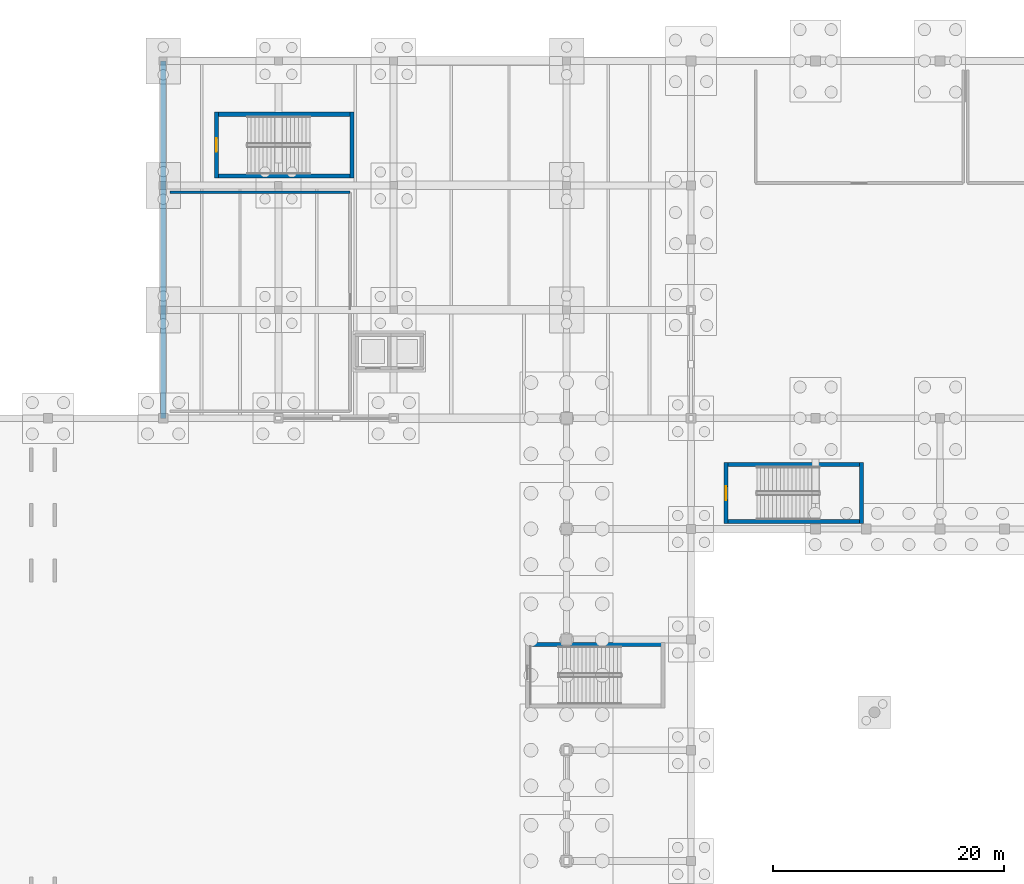
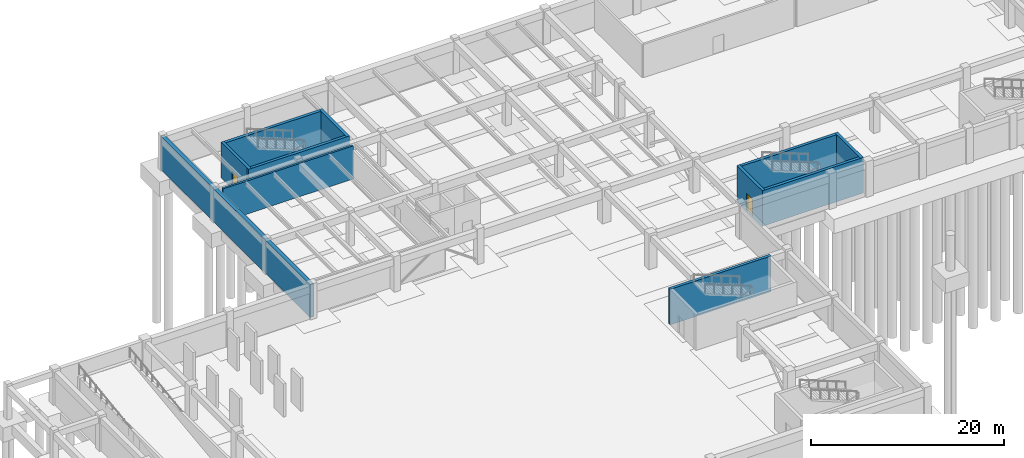
# One storey, part 16 of 33: 11 walls, 2 doors, 2 openings.
"""IFC4 building model written with IfcOpenShell, lengths in metres."""

import ifcopenshell
import ifcopenshell.guid

model = None  # the IFC model being written
_history = None  # IfcOwnerHistory: only IFC2X3 demands one
_inside = {}  # id of a spatial element -> (the spatial element, [elements in it])
_under = {}  # id of a project, library or spatial element -> (it, [spatial elements below it])
_declared = {}  # id of a project -> (the project, [libraries it declares])
_typed = {}  # id of a type object -> (the type object, [elements of that type])
_made_of = {}  # id of a material, layer set ... -> (it, [elements and type objects made of it])


def new_model(schema):
    """Start an empty IFC model of exactly this schema.

    Asked for "IFC4X3", IfcOpenShell would pick the latest addendum, in which some entities
    have other attributes; the version numbers below select the first issue.
    IFC2X3 requires an IfcOwnerHistory on every rooted entity: one is made here for all.
    """
    global model, _history
    if schema == "IFC4X3":
        model = ifcopenshell.file(schema_version=(4, 3, 0, 0))
    else:
        model = ifcopenshell.file(schema=schema)
    _inside.clear()
    _under.clear()
    _declared.clear()
    _typed.clear()
    _made_of.clear()
    _history = None
    if model.schema == "IFC2X3":
        org = make("IfcOrganization", Name="unknown")
        user = make(
            "IfcPersonAndOrganization",
            ThePerson=make("IfcPerson", FamilyName="unknown"),
            TheOrganization=org,
        )
        app = make(
            "IfcApplication",
            ApplicationDeveloper=org,
            Version="unknown",
            ApplicationFullName="unknown",
            ApplicationIdentifier="unknown",
        )
        _history = make(
            "IfcOwnerHistory",
            OwningUser=user,
            OwningApplication=app,
            ChangeAction="ADDED",
            CreationDate=0,
        )
    return model


def make(cls, **values):
    """One entity of the class cls with the attributes given. An attribute that is None is left unset."""
    return model.create_entity(
        cls, **{name: value for name, value in values.items() if value is not None}
    )


def rooted(cls, **values):
    """An entity with a GlobalId (a new one), such as an element, a storey or a relation."""
    return make(cls, GlobalId=ifcopenshell.guid.new(), OwnerHistory=_history, **values)


def si_unit(unit_type, name, prefix=None):
    """IfcSIUnit, for example si_unit("LENGTHUNIT", "METRE", prefix="MILLI")."""
    return make("IfcSIUnit", UnitType=unit_type, Prefix=prefix, Name=name)


def assignment(units):
    """IfcUnitAssignment: the units of a project."""
    return None if units is None else make("IfcUnitAssignment", Units=units)


def point(xyz):
    """IfcCartesianPoint."""
    return None if xyz is None else make("IfcCartesianPoint", Coordinates=xyz)


def direction(xyz):
    """IfcDirection."""
    return None if xyz is None else make("IfcDirection", DirectionRatios=xyz)


def frame(location, z_axis=None, x_axis=None):
    """IfcAxis2Placement3D, a coordinate frame: its origin and axes. An axis left out is left unset."""
    return make(
        "IfcAxis2Placement3D",
        Location=point(location),
        Axis=direction(z_axis),
        RefDirection=direction(x_axis),
    )


def frame_2d(location, x_axis=None):
    """IfcAxis2Placement2D, a coordinate frame in the plane: its origin and x axis."""
    return make(
        "IfcAxis2Placement2D", Location=point(location), RefDirection=direction(x_axis)
    )


def origin():
    """The frame at (0, 0, 0) with its axes left unset."""
    return frame((0.0, 0.0, 0.0))


def place(relative_to, where):
    """IfcLocalPlacement: puts the frame where relative to a parent placement (None: the world)."""
    return make(
        "IfcLocalPlacement", PlacementRelTo=relative_to, RelativePlacement=where
    )


def context(
    kind, dimensions, precision=None, world=None, true_north=None, identifier=None
):
    """IfcGeometricRepresentationContext, for example the 3D "Model" context."""
    return make(
        "IfcGeometricRepresentationContext",
        ContextIdentifier=identifier,
        ContextType=kind,
        CoordinateSpaceDimension=dimensions,
        Precision=precision,
        WorldCoordinateSystem=world,
        TrueNorth=true_north,
    )


def subcontext(parent, identifier, kind, view, scale=None):
    """IfcGeometricRepresentationSubContext, for example "Body" below "Model"."""
    return make(
        "IfcGeometricRepresentationSubContext",
        ContextIdentifier=identifier,
        ContextType=kind,
        ParentContext=parent,
        TargetScale=scale,
        TargetView=view,
    )


def project(units=None, contexts=None):
    """IfcProject with its units and contexts."""
    return rooted(
        "IfcProject",
        Name="project",
        RepresentationContexts=contexts,
        UnitsInContext=assignment(units),
    )


def spatial(cls, under=None, at=None, **own):
    """A site, building, storey or space (cls), placed at a placement, below another one or the project."""
    s = rooted(cls, ObjectPlacement=at, **own)
    if under is not None:
        _under.setdefault(under.id(), (under, []))[1].append(s)
    return s


def profile(cls, at=None, kind="AREA", **sizes):
    """A parametric profile (cls). Its sizes go by their IFC names, for example OverallWidth=200.0."""
    return make(cls, ProfileType=kind, Position=at, **sizes)


def rectangle(**sizes):
    """IfcRectangleProfileDef."""
    return profile("IfcRectangleProfileDef", **sizes)


def extrude(swept, where, along, depth):
    """IfcExtrudedAreaSolid: the profile swept, set in the frame where, extruded along a direction by depth."""
    return make(
        "IfcExtrudedAreaSolid",
        SweptArea=swept,
        Position=where,
        ExtrudedDirection=direction(along),
        Depth=depth,
    )


def shape(context_of_items, identifier, shape_type, items):
    """IfcShapeRepresentation: the items that make up one representation, for example the "Body"."""
    return make(
        "IfcShapeRepresentation",
        ContextOfItems=context_of_items,
        RepresentationIdentifier=identifier,
        RepresentationType=shape_type,
        Items=items,
    )


def material(Name=None, Category=None):
    """IfcMaterial."""
    return make("IfcMaterial", Name=Name, Category=Category)


def layer(
    of_material, thickness, ventilated=None, Name=None, Category=None, Priority=None
):
    """IfcMaterialLayer: one layer of a wall or slab, of a material (None: an air gap)."""
    return make(
        "IfcMaterialLayer",
        Material=of_material,
        LayerThickness=thickness,
        IsVentilated=ventilated,
        Name=Name,
        Category=Category,
        Priority=Priority,
    )


def layer_set(layers, Name=None):
    """IfcMaterialLayerSet."""
    return make("IfcMaterialLayerSet", MaterialLayers=layers, LayerSetName=Name)


def made_of(thing, what):
    """Note that an element or type object is made of a material, layer set ...; save() writes the relation."""
    if what is not None:
        _made_of.setdefault(what.id(), (what, []))[1].append(thing)
    return thing


def type_object(cls, material=None, **own):
    """A type object (cls), such as IfcWallType, which elements share."""
    return made_of(rooted(cls, **own), material)


def element(
    cls,
    number,
    at=None,
    inside=None,
    cuts=None,
    type_object=None,
    material=None,
    context=None,
    identifier="Body",
    shape_type=None,
    held_by="IfcProductDefinitionShape",
    body=None,
    shapes=None,
    **own,
):
    """One element of the class cls, such as IfcWall. Its Tag is "e" and its number.

    at: its placement. inside: the storey or other place that contains it. cuts: it is an
    opening in that element (IfcRelVoidsElement). A single representation is given by context,
    identifier, shape_type and body (its items); several are given by shapes. held_by: the class
    of the entity that holds the representations. save() writes the other relations.
    """
    e = rooted(cls, Tag="e%d" % number, ObjectPlacement=at, **own)
    if body is not None:
        shapes = [shape(context, identifier, shape_type, body)]
    if shapes is not None:
        e.Representation = make(held_by, Representations=shapes)
    if inside is not None:
        _inside.setdefault(inside.id(), (inside, []))[1].append(e)
    if cuts is not None:
        rooted(
            "IfcRelVoidsElement", RelatingBuildingElement=cuts, RelatedOpeningElement=e
        )
    if type_object is not None:
        _typed.setdefault(type_object.id(), (type_object, []))[1].append(e)
    return made_of(e, material)


def fill(opening, filler):
    """IfcRelFillsElement: the door or window that sits in an opening."""
    return rooted(
        "IfcRelFillsElement",
        RelatingOpeningElement=opening,
        RelatedBuildingElement=filler,
    )


def aggregate(whole, parts):
    """IfcRelAggregates: a whole, such as a stair, and the parts it consists of."""
    return rooted("IfcRelAggregates", RelatingObject=whole, RelatedObjects=parts)


def save(model, path):
    """Write the relations noted so far, then the file.

    IfcRelAggregates (storeys below a building ...), IfcRelContainedInSpatialStructure (elements
    in a storey), IfcRelDefinesByType, IfcRelAssociatesMaterial and IfcRelDeclares: one each for
    every whole, place, type object, material and project.
    """
    for whole, parts in _under.values():
        aggregate(whole, parts)
    for where, things in _inside.values():
        rooted(
            "IfcRelContainedInSpatialStructure",
            RelatedElements=things,
            RelatingStructure=where,
        )
    for kind, things in _typed.values():
        rooted("IfcRelDefinesByType", RelatedObjects=things, RelatingType=kind)
    for what, things in _made_of.values():
        rooted("IfcRelAssociatesMaterial", RelatedObjects=things, RelatingMaterial=what)
    for by, libraries in _declared.values():
        rooted("IfcRelDeclares", RelatingContext=by, RelatedDefinitions=libraries)
    model.write(path)


model = new_model("IFC4")

# Units and contexts
model_context = context("Model", 3, precision=1e-05, world=origin(), true_north=direction((0.0, 1.0)))
body_context = subcontext(model_context, "Body", "Model", "MODEL_VIEW")
ifc_project = project(units=[si_unit("LENGTHUNIT", "METRE"), si_unit("AREAUNIT", "SQUARE_METRE"), si_unit("VOLUMEUNIT", "CUBIC_METRE"), si_unit("PLANEANGLEUNIT", "RADIAN"), si_unit("MASSUNIT", "GRAM", prefix="KILO")], contexts=[model_context])

# Site, building, storey
site_placement = place(None, origin())
site = spatial("IfcSite", under=ifc_project, at=site_placement, CompositionType="ELEMENT")
building_placement = place(site_placement, origin())
building = spatial("IfcBuilding", under=site, at=building_placement, Name="Veldera Park Congress Hotel", CompositionType="ELEMENT")
storey_placement = place(building_placement, frame((0.0, 0.0, -4.5)))
storey = spatial("IfcBuildingStorey", under=building, at=storey_placement, Name="B1", CompositionType="ELEMENT", Elevation=-4.5)

# Walls
ifc_material_1 = material(Name="Concrete f'c 40 MPa (5,800 psi)", Category="concrete")
ifc_layer_1 = layer(ifc_material_1, 0.239990234375)
ifc_layer_set_1 = layer_set([ifc_layer_1], Name="Concrete f'c 40 MPa (5,800 psi)")
wall_type_1 = type_object("IfcWallType", Name="IW-FIRE240", PredefinedType="STANDARD", material=ifc_layer_set_1)
wall_1_placement = place(storey_placement, frame((-31.199951171875, 46.60009765625, 0.0), z_axis=(0.0, 0.0, 1.0), x_axis=(-1.0, 0.0, 0.0)))
element("IfcWall", 1, at=wall_1_placement, inside=storey, type_object=wall_type_1, Name="B1 Partition Wall IW3-B1-00008", PredefinedType="STANDARD", context=body_context, shape_type="SweptSolid", body=[
    extrude(rectangle(XDim=15.60009765625, YDim=0.239990234375, at=frame_2d((7.800048828125, 0.0))), origin(), (0.0, 0.0, 1.0), 4.199951171875),
])
ifc_layer_2 = layer(ifc_material_1, 0.35009765625)
ifc_layer_set_2 = layer_set([ifc_layer_2], Name="Concrete f'c 40 MPa (5,800 psi)")
wall_type_2 = type_object("IfcWallType", Name="SW-CORE350", PredefinedType="SHEAR", material=ifc_layer_set_2)
wall_2_placement = place(storey_placement, frame((-42.949951171875, 48.02490234375, 0.0), z_axis=(0.0, 0.0, 1.0), x_axis=(1.0, 0.0, 0.0)))
element("IfcWall", 2, at=wall_2_placement, inside=storey, type_object=wall_type_2, Name="Stair ST4 Core Wall B1-S", PredefinedType="SHEAR", context=body_context, shape_type="SweptSolid", body=[
    extrude(rectangle(XDim=12.099853515625, YDim=0.35009765625, at=frame_2d((6.0498046875, 0.0))), origin(), (0.0, 0.0, 1.0), 4.5),
])
wall_3_placement = place(storey_placement, frame((-31.02490234375, 47.85009765625, 0.0), z_axis=(0.0, 0.0, 1.0), x_axis=(0.0, 1.0, 0.0)))
element("IfcWall", 3, at=wall_3_placement, inside=storey, type_object=wall_type_2, Name="Stair ST4 Core Wall B1-E", PredefinedType="SHEAR", context=body_context, shape_type="SweptSolid", body=[
    extrude(rectangle(XDim=5.699951171875, YDim=0.35009765625, at=frame_2d((2.85009765625, 0.0))), origin(), (0.0, 0.0, 1.0), 4.5),
])
wall_4_placement = place(storey_placement, frame((-30.85009765625, 53.375, 0.0), z_axis=(0.0, 0.0, 1.0), x_axis=(-1.0, 0.0, 0.0)))
element("IfcWall", 4, at=wall_4_placement, inside=storey, type_object=wall_type_2, Name="Stair ST4 Core Wall B1-N", PredefinedType="SHEAR", context=body_context, shape_type="SweptSolid", body=[
    extrude(rectangle(XDim=12.099853515625, YDim=0.35009765625, at=frame_2d((6.0498046875, 0.0))), origin(), (0.0, 0.0, 1.0), 4.5),
])

# Wall, opening, door
wall_5_placement = place(storey_placement, frame((-42.77490234375, 53.550048828125, 0.0), z_axis=(0.0, 0.0, 1.0), x_axis=(0.0, -1.0, 0.0)))
wall_5 = element("IfcWall", 5, at=wall_5_placement, inside=storey, type_object=wall_type_2, Name="Stair ST4 Core Wall B1-W", PredefinedType="SHEAR", context=body_context, shape_type="SweptSolid", body=[
    extrude(rectangle(XDim=5.699951171875, YDim=0.35009765625, at=frame_2d((2.85009765625, 0.0))), origin(), (0.0, 0.0, 1.0), 4.5),
])
opening_1_placement = place(wall_5_placement, frame((2.25, 0.0, 0.0)))
opening_1 = element("IfcOpeningElement", 6, at=opening_1_placement, cuts=wall_5, Name="Opening ID-STAIR120", PredefinedType="OPENING", context=body_context, shape_type="SweptSolid", body=[
    extrude(rectangle(XDim=1.199951171875, YDim=2.199951171875, at=frame_2d((0.60009765625, 1.10009765625))), frame((0.0, 0.18701171875, 0.0), z_axis=(0.0, -1.0, 0.0), x_axis=(1.0, 0.0, 0.0)), (0.0, 0.0, 1.0), 0.3740234375),
])
ifc_material_2 = material(Name="Hollow Metal Fire-Rated Steel Door", Category="steel")
door_type = type_object("IfcDoorType", Name="ID-STAIR120", OperationType="NOTDEFINED", PredefinedType="DOOR", material=ifc_material_2)
door_1_placement = place(opening_1_placement, origin())
door_1 = element("IfcDoor", 7, at=door_1_placement, inside=storey, type_object=door_type, Name="B1 Stair ST4 Fire Door (DR3-SD-ST4-B1)", OperationType="SINGLE_SWING_LEFT", OverallHeight=2.199951171875, OverallWidth=1.199951171875, PredefinedType="DOOR", context=body_context, shape_type="SweptSolid", body=[
    extrude(rectangle(XDim=1.199951171875, YDim=2.199951171875, at=frame_2d((0.60009765625, 1.10009765625))), frame((0.0, 0.02490234375, 0.0), z_axis=(0.0, -1.0, 0.0), x_axis=(1.0, 0.0, 0.0)), (0.0, 0.0, 1.0), 0.050048828125),
])
fill(opening_1, door_1)

# Walls
wall_6_placement = place(storey_placement, frame((1.25, 18.02490234375, 0.0), z_axis=(0.0, 0.0, 1.0), x_axis=(1.0, 0.0, 0.0)))
element("IfcWall", 8, at=wall_6_placement, inside=storey, type_object=wall_type_2, Name="Stair ST6 Core Wall B1-S", PredefinedType="SHEAR", context=body_context, shape_type="SweptSolid", body=[
    extrude(rectangle(XDim=12.10009765625, YDim=0.35009765625, at=frame_2d((6.050048828125, 0.0))), origin(), (0.0, 0.0, 1.0), 4.5),
])
wall_7_placement = place(storey_placement, frame((13.175048828125, 17.85009765625, 0.0), z_axis=(0.0, 0.0, 1.0), x_axis=(0.0, 1.0, 0.0)))
element("IfcWall", 9, at=wall_7_placement, inside=storey, type_object=wall_type_2, Name="Stair ST6 Core Wall B1-E", PredefinedType="SHEAR", context=body_context, shape_type="SweptSolid", body=[
    extrude(rectangle(XDim=5.2998046875, YDim=0.35009765625, at=frame_2d((2.64990234375, 0.0))), origin(), (0.0, 0.0, 1.0), 4.5),
])
wall_8_placement = place(storey_placement, frame((13.35009765625, 22.97509765625, 0.0), z_axis=(0.0, 0.0, 1.0), x_axis=(-1.0, 0.0, 0.0)))
element("IfcWall", 10, at=wall_8_placement, inside=storey, type_object=wall_type_2, Name="Stair ST6 Core Wall B1-N", PredefinedType="SHEAR", context=body_context, shape_type="SweptSolid", body=[
    extrude(rectangle(XDim=12.10009765625, YDim=0.35009765625, at=frame_2d((6.050048828125, 0.0))), origin(), (0.0, 0.0, 1.0), 4.5),
])

# Wall, opening, door
wall_9_placement = place(storey_placement, frame((1.425048828125, 23.14990234375, 0.0), z_axis=(0.0, 0.0, 1.0), x_axis=(0.0, -1.0, 0.0)))
wall_9 = element("IfcWall", 11, at=wall_9_placement, inside=storey, type_object=wall_type_2, Name="Stair ST6 Core Wall B1-W", PredefinedType="SHEAR", context=body_context, shape_type="SweptSolid", body=[
    extrude(rectangle(XDim=5.2998046875, YDim=0.35009765625, at=frame_2d((2.64990234375, 0.0))), origin(), (0.0, 0.0, 1.0), 4.5),
])
opening_2_placement = place(wall_9_placement, frame((2.050048828125, 0.0, 0.0)))
opening_2 = element("IfcOpeningElement", 12, at=opening_2_placement, cuts=wall_9, Name="Opening ID-STAIR120", PredefinedType="OPENING", context=body_context, shape_type="SweptSolid", body=[
    extrude(rectangle(XDim=1.199951171875, YDim=2.199951171875, at=frame_2d((0.60009765625, 1.10009765625))), frame((0.0, 0.18701171875, 0.0), z_axis=(0.0, -1.0, 0.0), x_axis=(1.0, 0.0, 0.0)), (0.0, 0.0, 1.0), 0.3740234375),
])
door_2_placement = place(opening_2_placement, origin())
door_2 = element("IfcDoor", 13, at=door_2_placement, inside=storey, type_object=door_type, Name="B1 Stair ST6 Fire Door (DR3-SD-ST6-B1)", OperationType="SINGLE_SWING_RIGHT", OverallHeight=2.199951171875, OverallWidth=1.199951171875, PredefinedType="DOOR", context=body_context, shape_type="SweptSolid", body=[
    extrude(rectangle(XDim=1.199951171875, YDim=2.199951171875, at=frame_2d((0.60009765625, 1.10009765625))), frame((0.0, 0.02490234375, 0.0), z_axis=(0.0, -1.0, 0.0), x_axis=(1.0, 0.0, 0.0)), (0.0, 0.0, 1.0), 0.050048828125),
])
fill(opening_2, door_2)

# Walls
wall_10_placement = place(storey_placement, frame((-3.85009765625, 7.375, 0.0), z_axis=(0.0, 0.0, 1.0), x_axis=(-1.0, 0.0, 0.0)))
element("IfcWall", 14, at=wall_10_placement, inside=storey, type_object=wall_type_2, Name="Monumental Stair ST9 Wall B1-N", PredefinedType="SHEAR", context=body_context, shape_type="SweptSolid", body=[
    extrude(rectangle(XDim=12.099853515625, YDim=0.35009765625, at=frame_2d((6.0498046875, 0.0))), origin(), (0.0, 0.0, 1.0), 4.5),
])
ifc_layer_3 = layer(ifc_material_1, 0.449951171875)
ifc_layer_set_3 = layer_set([ifc_layer_3], Name="Concrete f'c 40 MPa (5,800 psi)")
wall_type_3 = type_object("IfcWallType", Name="SW-RET450", PredefinedType="USERDEFINED", material=ifc_layer_set_3)
wall_11_placement = place(storey_placement, frame((-47.39990234375, 58.0, 0.0), z_axis=(0.0, 0.0, 1.0), x_axis=(0.0, -1.0, 0.0)))
element("IfcWall", 15, at=wall_11_placement, inside=storey, type_object=wall_type_3, Name="Basement Retaining Wall 10", ObjectType="RETAININGWALL", PredefinedType="USERDEFINED", context=body_context, shape_type="SweptSolid", body=[
    extrude(rectangle(XDim=31.0, YDim=0.449951171875, at=frame_2d((15.5, 0.0))), origin(), (0.0, 0.0, 1.0), 4.199951171875),
])

save(model, "model.ifc")
